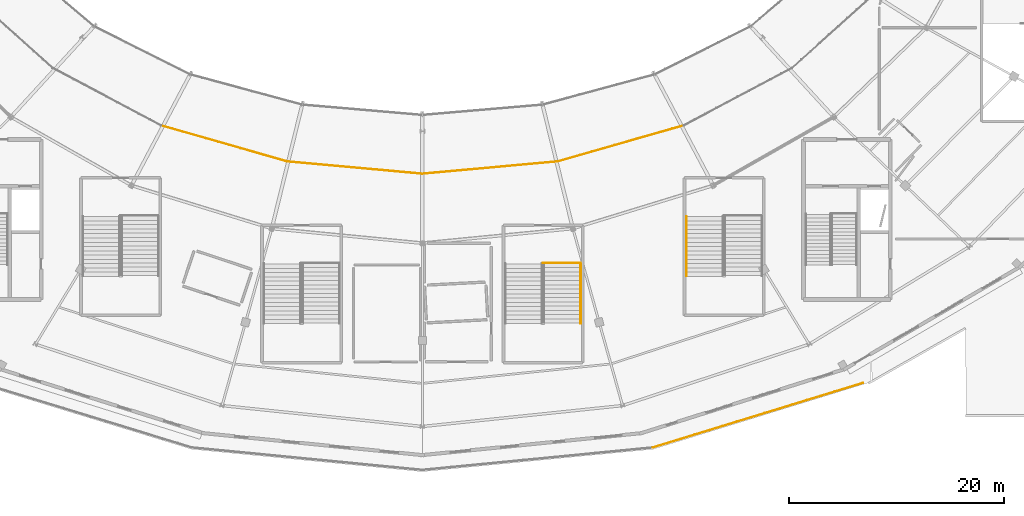
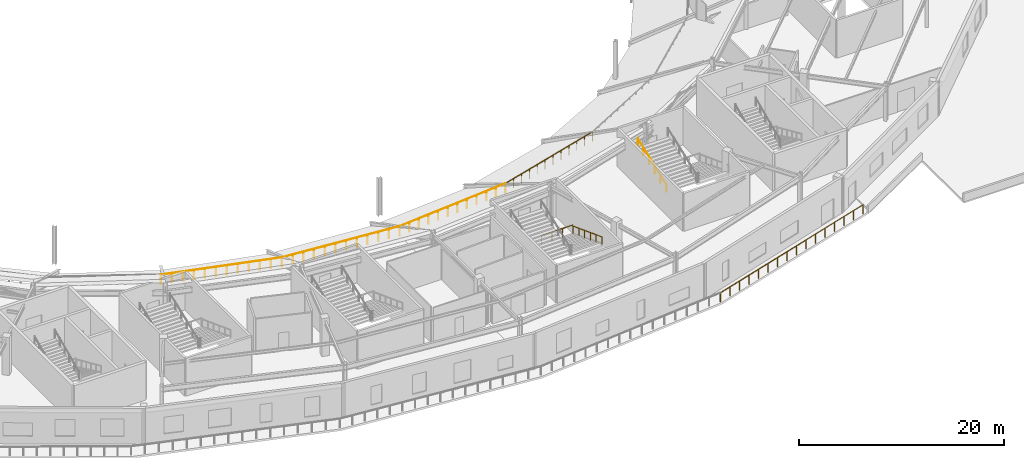
# One storey, part 50 of 63: 8 railings.
"""IFC4 building model written with IfcOpenShell, lengths in metres."""

from ifc_helpers import new_model, si_unit, direction, frame, origin, origin_2d, place, context, subcontext, project, spatial, circle, extrude, material, type_object, element, save


model = new_model("IFC4")

# Units and contexts
model_context = context("Model", 3, precision=1e-05, world=origin(), true_north=direction((0.0, 1.0)))
body_context = subcontext(model_context, "Body", "Model", "MODEL_VIEW")
ifc_project = project(units=[si_unit("LENGTHUNIT", "METRE"), si_unit("AREAUNIT", "SQUARE_METRE"), si_unit("VOLUMEUNIT", "CUBIC_METRE"), si_unit("PLANEANGLEUNIT", "RADIAN"), si_unit("MASSUNIT", "GRAM", prefix="KILO")], contexts=[model_context])

# Site, building, storey
site_placement = place(None, origin())
site = spatial("IfcSite", under=ifc_project, at=site_placement, CompositionType="ELEMENT")
building_placement = place(site_placement, origin())
building = spatial("IfcBuilding", under=site, at=building_placement, Name="Kalgoora Escarpment Arena", CompositionType="ELEMENT")
storey_placement = place(building_placement, frame((0.0, 0.0, 14.39990234375)))
storey = spatial("IfcBuildingStorey", under=building, at=storey_placement, Name="L03", CompositionType="ELEMENT", Elevation=14.39990234375)

# Railings
ifc_material_1 = material(Name="Galvanised & powdercoated tubular steel", Category="steel")
railing_type_1 = type_object("IfcRailingType", Name="RAL-GUARD-1120", PredefinedType="GUARDRAIL", material=ifc_material_1)
railing_1_placement = place(storey_placement, frame((107.090087890625, 22.18994140625, 0.0)))
element("IfcRailing", 1, at=railing_1_placement, inside=storey, type_object=railing_type_1, Name="ST15 L03 floor landing well guard", PredefinedType="GUARDRAIL", context=body_context, shape_type="SweptSolid", body=[
    extrude(circle(Radius=0.02392578125, at=origin_2d()), frame((0.0, 0.0, 1.09619140625), z_axis=(-1.0, 0.0, 0.0), x_axis=(0.0, -1.0, 0.0)), (0.0, 0.0, 1.0), 3.489990234375),
    extrude(circle(Radius=0.02099609375, at=origin_2d()), origin(), (0.0, 0.0, 1.0), 1.072021484375),
    extrude(circle(Radius=0.02099609375, at=origin_2d()), frame((-1.163330078125, 0.0, 0.0)), (0.0, 0.0, 1.0), 1.072021484375),
    extrude(circle(Radius=0.02099609375, at=origin_2d()), frame((-2.32666015625, 0.0, 0.0)), (0.0, 0.0, 1.0), 1.072021484375),
    extrude(circle(Radius=0.02099609375, at=origin_2d()), frame((-3.489990234375, 0.0, 0.0)), (0.0, 0.0, 1.0), 1.072021484375),
])
railing_2_placement = place(storey_placement, frame((68.125, 34.94482421875, 0.0)))
element("IfcRailing", 2, at=railing_2_placement, inside=storey, type_object=railing_type_1, Name="L03 concourse bowl balustrade 17", PredefinedType="GUARDRAIL", context=body_context, shape_type="SweptSolid", body=[
    extrude(circle(Radius=0.02392578125, at=origin_2d()), frame((0.0, 0.0, 1.09619140625), z_axis=(0.96139221915, -0.275181759857, 0.0), x_axis=(0.275181759857, 0.96139221915, 0.0)), (0.0, 0.0, 1.0), 12.179443359375),
    extrude(circle(Radius=0.02099609375, at=origin_2d()), origin(), (0.0, 0.0, 1.0), 1.072021484375),
    extrude(circle(Radius=0.02099609375, at=origin_2d()), frame((1.064453125, -0.3046875, 0.0)), (0.0, 0.0, 1.0), 1.072021484375),
    extrude(circle(Radius=0.02099609375, at=origin_2d()), frame((2.12890625, -0.609375, 0.0)), (0.0, 0.0, 1.0), 1.072021484375),
    extrude(circle(Radius=0.02099609375, at=origin_2d()), frame((3.193359375, -0.9140625, 0.0)), (0.0, 0.0, 1.0), 1.072021484375),
    extrude(circle(Radius=0.02099609375, at=origin_2d()), frame((4.2578125, -1.21875, 0.0)), (0.0, 0.0, 1.0), 1.072021484375),
    extrude(circle(Radius=0.02099609375, at=origin_2d()), frame((5.322265625, -1.5234375, 0.0)), (0.0, 0.0, 1.0), 1.072021484375),
    extrude(circle(Radius=0.02099609375, at=origin_2d()), frame((6.386962890625, -1.828125, 0.0)), (0.0, 0.0, 1.0), 1.072021484375),
    extrude(circle(Radius=0.02099609375, at=origin_2d()), frame((7.451416015625, -2.1328125, 0.0)), (0.0, 0.0, 1.0), 1.072021484375),
    extrude(circle(Radius=0.02099609375, at=origin_2d()), frame((8.515869140625, -2.4375, 0.0)), (0.0, 0.0, 1.0), 1.072021484375),
    extrude(circle(Radius=0.02099609375, at=origin_2d()), frame((9.580322265625, -2.7421875, 0.0)), (0.0, 0.0, 1.0), 1.072021484375),
    extrude(circle(Radius=0.02099609375, at=origin_2d()), frame((10.644775390625, -3.046875, 0.0)), (0.0, 0.0, 1.0), 1.072021484375),
    extrude(circle(Radius=0.02099609375, at=origin_2d()), frame((11.709228515625, -3.3515625, 0.0)), (0.0, 0.0, 1.0), 1.072021484375),
])
railing_3_placement = place(storey_placement, frame((79.834228515625, 31.59326171875, 0.0)))
element("IfcRailing", 3, at=railing_3_placement, inside=storey, type_object=railing_type_1, Name="L03 concourse bowl balustrade 18", PredefinedType="GUARDRAIL", context=body_context, shape_type="SweptSolid", body=[
    extrude(circle(Radius=0.02392578125, at=origin_2d()), frame((0.0, 0.0, 1.09619140625), z_axis=(0.995886225094, -0.090612508347, 0.0), x_axis=(0.090612508347, 0.995886225094, 0.0)), (0.0, 0.0, 1.0), 12.61767578125),
    extrude(circle(Radius=0.02099609375, at=origin_2d()), origin(), (0.0, 0.0, 1.0), 1.072021484375),
    extrude(circle(Radius=0.02099609375, at=origin_2d()), frame((1.142333984375, -0.10400390625, 0.0)), (0.0, 0.0, 1.0), 1.072021484375),
    extrude(circle(Radius=0.02099609375, at=origin_2d()), frame((2.28466796875, -0.207763671875, 0.0)), (0.0, 0.0, 1.0), 1.072021484375),
    extrude(circle(Radius=0.02099609375, at=origin_2d()), frame((3.427001953125, -0.311767578125, 0.0)), (0.0, 0.0, 1.0), 1.072021484375),
    extrude(circle(Radius=0.02099609375, at=origin_2d()), frame((4.5693359375, -0.415771484375, 0.0)), (0.0, 0.0, 1.0), 1.072021484375),
    extrude(circle(Radius=0.02099609375, at=origin_2d()), frame((5.711669921875, -0.519775390625, 0.0)), (0.0, 0.0, 1.0), 1.072021484375),
    extrude(circle(Radius=0.02099609375, at=origin_2d()), frame((6.85400390625, -0.62353515625, 0.0)), (0.0, 0.0, 1.0), 1.072021484375),
    extrude(circle(Radius=0.02099609375, at=origin_2d()), frame((7.996337890625, -0.7275390625, 0.0)), (0.0, 0.0, 1.0), 1.072021484375),
    extrude(circle(Radius=0.02099609375, at=origin_2d()), frame((9.138671875, -0.83154296875, 0.0)), (0.0, 0.0, 1.0), 1.072021484375),
    extrude(circle(Radius=0.02099609375, at=origin_2d()), frame((10.281005859375, -0.935546875, 0.0)), (0.0, 0.0, 1.0), 1.072021484375),
    extrude(circle(Radius=0.02099609375, at=origin_2d()), frame((11.42333984375, -1.039306640625, 0.0)), (0.0, 0.0, 1.0), 1.072021484375),
    extrude(circle(Radius=0.02099609375, at=origin_2d()), frame((12.565673828125, -1.143310546875, 0.0)), (0.0, 0.0, 1.0), 1.072021484375),
])
railing_4_placement = place(storey_placement, frame((92.39990234375, 30.449951171875, 0.0)))
element("IfcRailing", 4, at=railing_4_placement, inside=storey, type_object=railing_type_1, Name="L03 concourse bowl balustrade 19", PredefinedType="GUARDRAIL", context=body_context, shape_type="SweptSolid", body=[
    extrude(circle(Radius=0.02392578125, at=origin_2d()), frame((0.0, 0.0, 1.09619140625), z_axis=(0.995886383958, 0.09061076231, 0.0), x_axis=(-0.09061076231, 0.995886383958, 0.0)), (0.0, 0.0, 1.0), 12.617919921875),
    extrude(circle(Radius=0.02099609375, at=origin_2d()), origin(), (0.0, 0.0, 1.0), 1.072021484375),
    extrude(circle(Radius=0.02099609375, at=origin_2d()), frame((1.142333984375, 0.10400390625, 0.0)), (0.0, 0.0, 1.0), 1.072021484375),
    extrude(circle(Radius=0.02099609375, at=origin_2d()), frame((2.28466796875, 0.207763671875, 0.0)), (0.0, 0.0, 1.0), 1.072021484375),
    extrude(circle(Radius=0.02099609375, at=origin_2d()), frame((3.427001953125, 0.311767578125, 0.0)), (0.0, 0.0, 1.0), 1.072021484375),
    extrude(circle(Radius=0.02099609375, at=origin_2d()), frame((4.5693359375, 0.415771484375, 0.0)), (0.0, 0.0, 1.0), 1.072021484375),
    extrude(circle(Radius=0.02099609375, at=origin_2d()), frame((5.711669921875, 0.519775390625, 0.0)), (0.0, 0.0, 1.0), 1.072021484375),
    extrude(circle(Radius=0.02099609375, at=origin_2d()), frame((6.854248046875, 0.62353515625, 0.0)), (0.0, 0.0, 1.0), 1.072021484375),
    extrude(circle(Radius=0.02099609375, at=origin_2d()), frame((7.99658203125, 0.7275390625, 0.0)), (0.0, 0.0, 1.0), 1.072021484375),
    extrude(circle(Radius=0.02099609375, at=origin_2d()), frame((9.138916015625, 0.83154296875, 0.0)), (0.0, 0.0, 1.0), 1.072021484375),
    extrude(circle(Radius=0.02099609375, at=origin_2d()), frame((10.28125, 0.935546875, 0.0)), (0.0, 0.0, 1.0), 1.072021484375),
    extrude(circle(Radius=0.02099609375, at=origin_2d()), frame((11.423583984375, 1.039306640625, 0.0)), (0.0, 0.0, 1.0), 1.072021484375),
    extrude(circle(Radius=0.02099609375, at=origin_2d()), frame((12.56591796875, 1.143310546875, 0.0)), (0.0, 0.0, 1.0), 1.072021484375),
])
railing_5_placement = place(storey_placement, frame((104.9658203125, 31.59326171875, 0.0)))
element("IfcRailing", 5, at=railing_5_placement, inside=storey, type_object=railing_type_1, Name="L03 concourse bowl balustrade 20", PredefinedType="GUARDRAIL", context=body_context, shape_type="SweptSolid", body=[
    extrude(circle(Radius=0.02392578125, at=origin_2d()), frame((0.0, 0.0, 1.09619140625), z_axis=(0.96139221915, 0.275181759857, 0.0), x_axis=(-0.275181759857, 0.96139221915, 0.0)), (0.0, 0.0, 1.0), 12.179443359375),
    extrude(circle(Radius=0.02099609375, at=origin_2d()), origin(), (0.0, 0.0, 1.0), 1.072021484375),
    extrude(circle(Radius=0.02099609375, at=origin_2d()), frame((1.064453125, 0.3046875, 0.0)), (0.0, 0.0, 1.0), 1.072021484375),
    extrude(circle(Radius=0.02099609375, at=origin_2d()), frame((2.12890625, 0.609375, 0.0)), (0.0, 0.0, 1.0), 1.072021484375),
    extrude(circle(Radius=0.02099609375, at=origin_2d()), frame((3.193359375, 0.9140625, 0.0)), (0.0, 0.0, 1.0), 1.072021484375),
    extrude(circle(Radius=0.02099609375, at=origin_2d()), frame((4.2578125, 1.21875, 0.0)), (0.0, 0.0, 1.0), 1.072021484375),
    extrude(circle(Radius=0.02099609375, at=origin_2d()), frame((5.322265625, 1.5234375, 0.0)), (0.0, 0.0, 1.0), 1.072021484375),
    extrude(circle(Radius=0.02099609375, at=origin_2d()), frame((6.386962890625, 1.828125, 0.0)), (0.0, 0.0, 1.0), 1.072021484375),
    extrude(circle(Radius=0.02099609375, at=origin_2d()), frame((7.451416015625, 2.1328125, 0.0)), (0.0, 0.0, 1.0), 1.072021484375),
    extrude(circle(Radius=0.02099609375, at=origin_2d()), frame((8.515869140625, 2.4375, 0.0)), (0.0, 0.0, 1.0), 1.072021484375),
    extrude(circle(Radius=0.02099609375, at=origin_2d()), frame((9.580322265625, 2.7421875, 0.0)), (0.0, 0.0, 1.0), 1.072021484375),
    extrude(circle(Radius=0.02099609375, at=origin_2d()), frame((10.644775390625, 3.046875, 0.0)), (0.0, 0.0, 1.0), 1.072021484375),
    extrude(circle(Radius=0.02099609375, at=origin_2d()), frame((11.709228515625, 3.3515625, 0.0)), (0.0, 0.0, 1.0), 1.072021484375),
])
ifc_material_2 = material(Name="Brushed stainless steel 316 handrail", Category="steel")
railing_type_2 = type_object("IfcRailingType", Name="RAL-HAND-920", PredefinedType="HANDRAIL", material=ifc_material_2)
railing_6_placement = place(storey_placement, frame((107.10009765625, 22.110107421875, 0.110107421875)))
element("IfcRailing", 6, at=railing_6_placement, inside=storey, type_object=railing_type_2, Name="ST15 L03 pitched stair handrail F1L", PredefinedType="HANDRAIL", context=body_context, shape_type="SweptSolid", body=[
    extrude(circle(Radius=0.02392578125, at=origin_2d()), frame((0.0, 0.0, 0.89599609375), z_axis=(0.0, -0.935492612948, 0.353346248203), x_axis=(1.0, 0.0, 0.0)), (0.0, 0.0, 1.0), 5.943359375),
    extrude(circle(Radius=0.02099609375, at=origin_2d()), origin(), (0.0, 0.0, 1.0), 0.871826171875),
    extrude(circle(Radius=0.02099609375, at=origin_2d()), frame((0.0, -1.112060546875, 0.419921875)), (0.0, 0.0, 1.0), 0.871826171875),
    extrude(circle(Radius=0.02099609375, at=origin_2d()), frame((0.0, -2.22412109375, 0.840087890625)), (0.0, 0.0, 1.0), 0.871826171875),
    extrude(circle(Radius=0.02099609375, at=origin_2d()), frame((0.0, -3.3359375, 1.260009765625)), (0.0, 0.0, 1.0), 0.871826171875),
    extrude(circle(Radius=0.02099609375, at=origin_2d()), frame((0.0, -4.447998046875, 1.68017578125)), (0.0, 0.0, 1.0), 0.871826171875),
    extrude(circle(Radius=0.02099609375, at=origin_2d()), frame((0.0, -5.56005859375, 2.10009765625)), (0.0, 0.0, 1.0), 0.871826171875),
])
railing_7_placement = place(storey_placement, frame((116.89990234375, 20.949951171875, 2.360107421875)))
element("IfcRailing", 7, at=railing_7_placement, inside=storey, type_object=railing_type_2, Name="ST16 L03 pitched stair handrail F2R", PredefinedType="HANDRAIL", context=body_context, shape_type="SweptSolid", body=[
    extrude(circle(Radius=0.02392578125, at=origin_2d()), frame((0.0, 0.0, 0.89599609375), z_axis=(0.0, 0.935492612948, 0.353346248203), x_axis=(-1.0, 0.0, 0.0)), (0.0, 0.0, 1.0), 5.943359375),
    extrude(circle(Radius=0.02099609375, at=origin_2d()), origin(), (0.0, 0.0, 1.0), 0.871826171875),
    extrude(circle(Radius=0.02099609375, at=origin_2d()), frame((0.0, 1.112060546875, 0.419921875)), (0.0, 0.0, 1.0), 0.871826171875),
    extrude(circle(Radius=0.02099609375, at=origin_2d()), frame((0.0, 2.22412109375, 0.840087890625)), (0.0, 0.0, 1.0), 0.871826171875),
    extrude(circle(Radius=0.02099609375, at=origin_2d()), frame((0.0, 3.3359375, 1.260009765625)), (0.0, 0.0, 1.0), 0.871826171875),
    extrude(circle(Radius=0.02099609375, at=origin_2d()), frame((0.0, 4.447998046875, 1.68017578125)), (0.0, 0.0, 1.0), 0.871826171875),
    extrude(circle(Radius=0.02099609375, at=origin_2d()), frame((0.0, 5.56005859375, 2.10009765625)), (0.0, 0.0, 1.0), 0.871826171875),
])
ifc_material_3 = material(Name="Champagne anodised aluminium & laminated glass", Category="aluminium")
railing_type_3 = type_object("IfcRailingType", Name="RAL-TERR-1100", PredefinedType="GUARDRAIL", material=ifc_material_3)
railing_8_placement = place(storey_placement, frame((133.314208984375, 11.044189453125, 0.0)))
element("IfcRailing", 8, at=railing_8_placement, inside=storey, type_object=railing_type_3, Name="Upper Planted Elliptical Garden Terrace perimeter guardrail 008", PredefinedType="GUARDRAIL", context=body_context, shape_type="SweptSolid", body=[
    extrude(circle(Radius=0.02392578125, at=origin_2d()), frame((0.0, 0.0, 1.09619140625), z_axis=(-0.955828376163, -0.293925356716, 0.0), x_axis=(0.293925356716, -0.955828376163, 0.0)), (0.0, 0.0, 1.0), 20.41748046875),
    extrude(circle(Radius=0.02099609375, at=origin_2d()), origin(), (0.0, 0.0, 1.0), 1.072021484375),
    extrude(circle(Radius=0.02099609375, at=origin_2d()), frame((-1.301025390625, -0.400146484375, 0.0)), (0.0, 0.0, 1.0), 1.072021484375),
    extrude(circle(Radius=0.02099609375, at=origin_2d()), frame((-2.60205078125, -0.800048828125, 0.0)), (0.0, 0.0, 1.0), 1.072021484375),
    extrude(circle(Radius=0.02099609375, at=origin_2d()), frame((-3.903076171875, -1.2001953125, 0.0)), (0.0, 0.0, 1.0), 1.072021484375),
    extrude(circle(Radius=0.02099609375, at=origin_2d()), frame((-5.2041015625, -1.600341796875, 0.0)), (0.0, 0.0, 1.0), 1.072021484375),
    extrude(circle(Radius=0.02099609375, at=origin_2d()), frame((-6.505126953125, -2.00048828125, 0.0)), (0.0, 0.0, 1.0), 1.072021484375),
    extrude(circle(Radius=0.02099609375, at=origin_2d()), frame((-7.80615234375, -2.400390625, 0.0)), (0.0, 0.0, 1.0), 1.072021484375),
    extrude(circle(Radius=0.02099609375, at=origin_2d()), frame((-9.107177734375, -2.800537109375, 0.0)), (0.0, 0.0, 1.0), 1.072021484375),
    extrude(circle(Radius=0.02099609375, at=origin_2d()), frame((-10.408447265625, -3.20068359375, 0.0)), (0.0, 0.0, 1.0), 1.072021484375),
    extrude(circle(Radius=0.02099609375, at=origin_2d()), frame((-11.70947265625, -3.600830078125, 0.0)), (0.0, 0.0, 1.0), 1.072021484375),
    extrude(circle(Radius=0.02099609375, at=origin_2d()), frame((-13.010498046875, -4.000732421875, 0.0)), (0.0, 0.0, 1.0), 1.072021484375),
    extrude(circle(Radius=0.02099609375, at=origin_2d()), frame((-14.3115234375, -4.40087890625, 0.0)), (0.0, 0.0, 1.0), 1.072021484375),
    extrude(circle(Radius=0.02099609375, at=origin_2d()), frame((-15.612548828125, -4.801025390625, 0.0)), (0.0, 0.0, 1.0), 1.072021484375),
    extrude(circle(Radius=0.02099609375, at=origin_2d()), frame((-16.91357421875, -5.201171875, 0.0)), (0.0, 0.0, 1.0), 1.072021484375),
    extrude(circle(Radius=0.02099609375, at=origin_2d()), frame((-18.214599609375, -5.60107421875, 0.0)), (0.0, 0.0, 1.0), 1.072021484375),
    extrude(circle(Radius=0.02099609375, at=origin_2d()), frame((-19.515625, -6.001220703125, 0.0)), (0.0, 0.0, 1.0), 1.072021484375),
])

save(model, "model.ifc")
